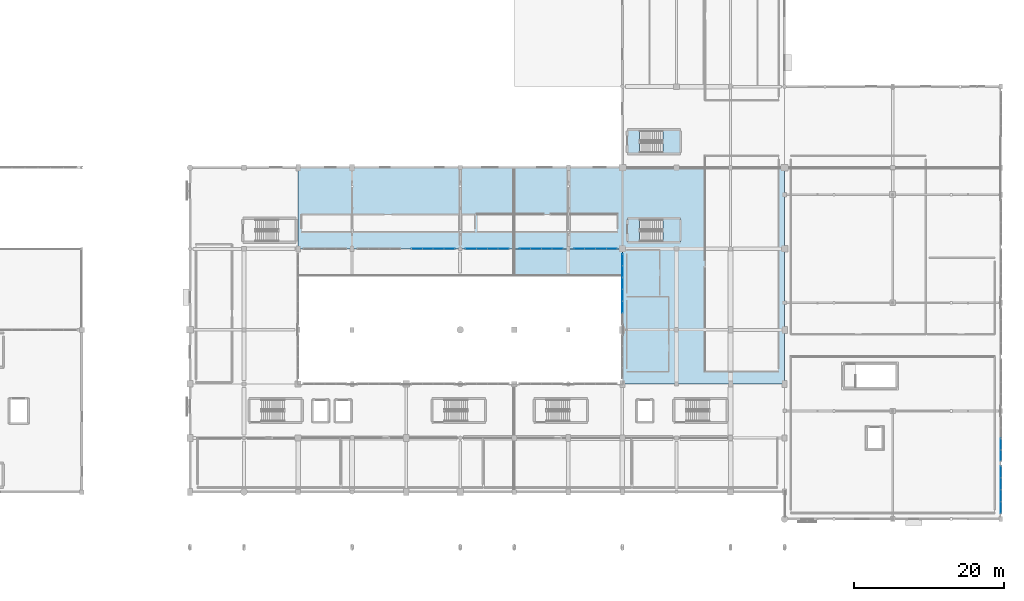
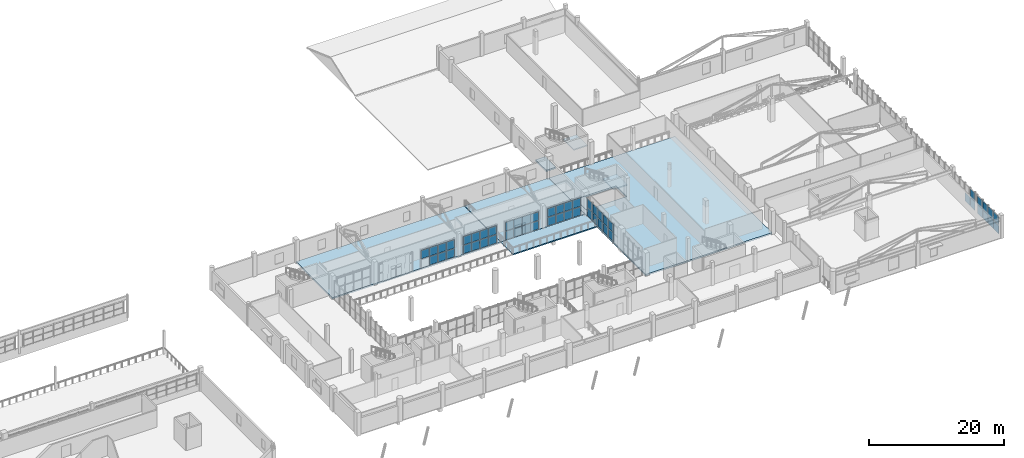
# One storey, part 56 of 92: 52 plates, 8 slabs, 9 elements without a shape of their own.
"""IFC4 building model written with IfcOpenShell, lengths in metres."""

from ifc_helpers import new_model, si_unit, direction, frame, origin, origin_2d, place, context, subcontext, project, spatial, polyline, rectangle, outline, extrude, material, layer, layer_set, type_object, element, aggregate, save


model = new_model("IFC4")

# Units and contexts
model_context = context("Model", 3, precision=1e-05, world=origin(), true_north=direction((0.0, 1.0)))
body_context = subcontext(model_context, "Body", "Model", "MODEL_VIEW")
ifc_project = project(units=[si_unit("LENGTHUNIT", "METRE"), si_unit("AREAUNIT", "SQUARE_METRE"), si_unit("VOLUMEUNIT", "CUBIC_METRE"), si_unit("PLANEANGLEUNIT", "RADIAN"), si_unit("MASSUNIT", "GRAM", prefix="KILO")], contexts=[model_context])

# Site, building, storey
site_placement = place(None, origin())
site = spatial("IfcSite", under=ifc_project, at=site_placement, CompositionType="ELEMENT")
building_placement = place(site_placement, origin())
building = spatial("IfcBuilding", under=site, at=building_placement, Name="Solanera Park Tramway Depot", CompositionType="ELEMENT")
storey_placement = place(building_placement, frame((0.0, 0.0, 4.800048828125)))
storey = spatial("IfcBuildingStorey", under=building, at=storey_placement, Name="L01", CompositionType="ELEMENT", Elevation=4.800048828125)

# Curtain wall, plates
ifc_material_1 = material(Name="Bronze-anodised thermally broken aluminium curtain wall", Category="aluminium")
curtain_wall_type_1 = type_object("IfcCurtainWallType", Name="Courtyard Cloister Unitised Curtain Wall", PredefinedType="NOTDEFINED", material=ifc_material_1)
curtain_wall_1_placement = place(storey_placement, origin())
curtain_wall_1 = element("IfcCurtainWall", 1, at=curtain_wall_1_placement, inside=storey, type_object=curtain_wall_type_1, Name="L01 Courtyard Cloister Unitised Curtain Wall #096", PredefinedType="NOTDEFINED")
ifc_material_2 = material(Name="Low-E laminated solar-control double glazing", Category="glass")
ifc_layer_1 = layer(ifc_material_2, 0.028076171875)
ifc_layer_set_1 = layer_set([ifc_layer_1], Name="Low-E laminated solar-control double glazing")
plate_type = type_object("IfcPlateType", Name="Curtain Wall Double Glazing Panel 28", PredefinedType="CURTAIN_PANEL", material=ifc_layer_set_1)
plate_1_placement = place(storey_placement, frame((142.558837890625, 43.199951171875, 0.11181640625), z_axis=(0.0, 0.0, 1.0), x_axis=(-1.0, 0.0, 0.0)))
plate_1 = element("IfcPlate", 2, at=plate_1_placement, type_object=plate_type, Name="CW-L01-096 Glazing Panel R1.C1", PredefinedType="CURTAIN_PANEL", context=body_context, shape_type="SweptSolid", body=[
    extrude(rectangle(XDim=1.365478515625, YDim=0.028076171875, at=origin_2d()), origin(), (0.0, 0.0, 1.0), 1.510986328125),
])
plate_2_placement = place(storey_placement, frame((141.125, 43.199951171875, 0.11181640625), z_axis=(0.0, 0.0, 1.0), x_axis=(-1.0, 0.0, 0.0)))
plate_2 = element("IfcPlate", 3, at=plate_2_placement, type_object=plate_type, Name="CW-L01-096 Glazing Panel R1.C2", PredefinedType="CURTAIN_PANEL", context=body_context, shape_type="SweptSolid", body=[
    extrude(rectangle(XDim=1.39794921875, YDim=0.028076171875, at=origin_2d()), origin(), (0.0, 0.0, 1.0), 1.510986328125),
])
plate_3_placement = place(storey_placement, frame((139.675048828125, 43.199951171875, 0.11181640625), z_axis=(0.0, 0.0, 1.0), x_axis=(-1.0, 0.0, 0.0)))
plate_3 = element("IfcPlate", 4, at=plate_3_placement, type_object=plate_type, Name="CW-L01-096 Glazing Panel R1.C3", PredefinedType="CURTAIN_PANEL", context=body_context, shape_type="SweptSolid", body=[
    extrude(rectangle(XDim=1.39794921875, YDim=0.028076171875, at=origin_2d()), origin(), (0.0, 0.0, 1.0), 1.510986328125),
])
plate_4_placement = place(storey_placement, frame((142.558837890625, 43.199951171875, 1.72705078125), z_axis=(0.0, 0.0, 1.0), x_axis=(-1.0, 0.0, 0.0)))
plate_4 = element("IfcPlate", 5, at=plate_4_placement, type_object=plate_type, Name="CW-L01-096 Glazing Panel R2.C1", PredefinedType="CURTAIN_PANEL", context=body_context, shape_type="SweptSolid", body=[
    extrude(rectangle(XDim=1.365478515625, YDim=0.028076171875, at=origin_2d()), origin(), (0.0, 0.0, 1.0), 1.510986328125),
])
plate_5_placement = place(storey_placement, frame((141.125, 43.199951171875, 1.72705078125), z_axis=(0.0, 0.0, 1.0), x_axis=(-1.0, 0.0, 0.0)))
plate_5 = element("IfcPlate", 6, at=plate_5_placement, type_object=plate_type, Name="CW-L01-096 Glazing Panel R2.C2", PredefinedType="CURTAIN_PANEL", context=body_context, shape_type="SweptSolid", body=[
    extrude(rectangle(XDim=1.39794921875, YDim=0.028076171875, at=origin_2d()), origin(), (0.0, 0.0, 1.0), 1.510986328125),
])
plate_6_placement = place(storey_placement, frame((139.675048828125, 43.199951171875, 1.72705078125), z_axis=(0.0, 0.0, 1.0), x_axis=(-1.0, 0.0, 0.0)))
plate_6 = element("IfcPlate", 7, at=plate_6_placement, type_object=plate_type, Name="CW-L01-096 Glazing Panel R2.C3", PredefinedType="CURTAIN_PANEL", context=body_context, shape_type="SweptSolid", body=[
    extrude(rectangle(XDim=1.39794921875, YDim=0.028076171875, at=origin_2d()), origin(), (0.0, 0.0, 1.0), 1.510986328125),
])
plate_7_placement = place(storey_placement, frame((138.2412109375, 43.199951171875, 1.72705078125), z_axis=(0.0, 0.0, 1.0), x_axis=(-1.0, 0.0, 0.0)))
plate_7 = element("IfcPlate", 8, at=plate_7_placement, type_object=plate_type, Name="CW-L01-096 Glazing Panel R2.C4", PredefinedType="CURTAIN_PANEL", context=body_context, shape_type="SweptSolid", body=[
    extrude(rectangle(XDim=1.365478515625, YDim=0.028076171875, at=origin_2d()), origin(), (0.0, 0.0, 1.0), 1.510986328125),
])
aggregate(curtain_wall_1, [plate_1, plate_2, plate_3, plate_4, plate_5, plate_6, plate_7])

curtain_wall_2_placement = place(storey_placement, origin())
curtain_wall_2 = element("IfcCurtainWall", 9, at=curtain_wall_2_placement, inside=storey, type_object=curtain_wall_type_1, Name="L01 Courtyard Cloister Unitised Curtain Wall #097", PredefinedType="NOTDEFINED")
plate_8_placement = place(storey_placement, frame((149.7587890625, 43.199951171875, 0.11181640625), z_axis=(0.0, 0.0, 1.0), x_axis=(-1.0, 0.0, 0.0)))
plate_8 = element("IfcPlate", 10, at=plate_8_placement, type_object=plate_type, Name="CW-L01-097 Glazing Panel R1.C1", PredefinedType="CURTAIN_PANEL", context=body_context, shape_type="SweptSolid", body=[
    extrude(rectangle(XDim=1.365478515625, YDim=0.028076171875, at=origin_2d()), origin(), (0.0, 0.0, 1.0), 1.510986328125),
])
plate_9_placement = place(storey_placement, frame((148.324951171875, 43.199951171875, 0.11181640625), z_axis=(0.0, 0.0, 1.0), x_axis=(-1.0, 0.0, 0.0)))
plate_9 = element("IfcPlate", 11, at=plate_9_placement, type_object=plate_type, Name="CW-L01-097 Glazing Panel R1.C2", PredefinedType="CURTAIN_PANEL", context=body_context, shape_type="SweptSolid", body=[
    extrude(rectangle(XDim=1.39794921875, YDim=0.028076171875, at=origin_2d()), origin(), (0.0, 0.0, 1.0), 1.510986328125),
])
plate_10_placement = place(storey_placement, frame((146.875, 43.199951171875, 0.11181640625), z_axis=(0.0, 0.0, 1.0), x_axis=(-1.0, 0.0, 0.0)))
plate_10 = element("IfcPlate", 12, at=plate_10_placement, type_object=plate_type, Name="CW-L01-097 Glazing Panel R1.C3", PredefinedType="CURTAIN_PANEL", context=body_context, shape_type="SweptSolid", body=[
    extrude(rectangle(XDim=1.39794921875, YDim=0.028076171875, at=origin_2d()), origin(), (0.0, 0.0, 1.0), 1.510986328125),
])
plate_11_placement = place(storey_placement, frame((145.441162109375, 43.199951171875, 0.11181640625), z_axis=(0.0, 0.0, 1.0), x_axis=(-1.0, 0.0, 0.0)))
plate_11 = element("IfcPlate", 13, at=plate_11_placement, type_object=plate_type, Name="CW-L01-097 Glazing Panel R1.C4", PredefinedType="CURTAIN_PANEL", context=body_context, shape_type="SweptSolid", body=[
    extrude(rectangle(XDim=1.365478515625, YDim=0.028076171875, at=origin_2d()), origin(), (0.0, 0.0, 1.0), 1.510986328125),
])
plate_12_placement = place(storey_placement, frame((149.7587890625, 43.199951171875, 1.72705078125), z_axis=(0.0, 0.0, 1.0), x_axis=(-1.0, 0.0, 0.0)))
plate_12 = element("IfcPlate", 14, at=plate_12_placement, type_object=plate_type, Name="CW-L01-097 Glazing Panel R2.C1", PredefinedType="CURTAIN_PANEL", context=body_context, shape_type="SweptSolid", body=[
    extrude(rectangle(XDim=1.365478515625, YDim=0.028076171875, at=origin_2d()), origin(), (0.0, 0.0, 1.0), 1.510986328125),
])
plate_13_placement = place(storey_placement, frame((148.324951171875, 43.199951171875, 1.72705078125), z_axis=(0.0, 0.0, 1.0), x_axis=(-1.0, 0.0, 0.0)))
plate_13 = element("IfcPlate", 15, at=plate_13_placement, type_object=plate_type, Name="CW-L01-097 Glazing Panel R2.C2", PredefinedType="CURTAIN_PANEL", context=body_context, shape_type="SweptSolid", body=[
    extrude(rectangle(XDim=1.39794921875, YDim=0.028076171875, at=origin_2d()), origin(), (0.0, 0.0, 1.0), 1.510986328125),
])
plate_14_placement = place(storey_placement, frame((146.875, 43.199951171875, 1.72705078125), z_axis=(0.0, 0.0, 1.0), x_axis=(-1.0, 0.0, 0.0)))
plate_14 = element("IfcPlate", 16, at=plate_14_placement, type_object=plate_type, Name="CW-L01-097 Glazing Panel R2.C3", PredefinedType="CURTAIN_PANEL", context=body_context, shape_type="SweptSolid", body=[
    extrude(rectangle(XDim=1.39794921875, YDim=0.028076171875, at=origin_2d()), origin(), (0.0, 0.0, 1.0), 1.510986328125),
])
plate_15_placement = place(storey_placement, frame((145.441162109375, 43.199951171875, 1.72705078125), z_axis=(0.0, 0.0, 1.0), x_axis=(-1.0, 0.0, 0.0)))
plate_15 = element("IfcPlate", 17, at=plate_15_placement, type_object=plate_type, Name="CW-L01-097 Glazing Panel R2.C4", PredefinedType="CURTAIN_PANEL", context=body_context, shape_type="SweptSolid", body=[
    extrude(rectangle(XDim=1.365478515625, YDim=0.028076171875, at=origin_2d()), origin(), (0.0, 0.0, 1.0), 1.510986328125),
])
aggregate(curtain_wall_2, [plate_8, plate_9, plate_10, plate_11, plate_12, plate_13, plate_14, plate_15])

curtain_wall_3_placement = place(storey_placement, origin())
curtain_wall_3 = element("IfcCurtainWall", 18, at=curtain_wall_3_placement, inside=storey, type_object=curtain_wall_type_1, Name="L01 Courtyard Cloister Unitised Curtain Wall #098", PredefinedType="NOTDEFINED")
plate_16_placement = place(storey_placement, frame((156.958740234375, 43.199951171875, 0.11181640625), z_axis=(0.0, 0.0, 1.0), x_axis=(-1.0, 0.0, 0.0)))
plate_16 = element("IfcPlate", 19, at=plate_16_placement, type_object=plate_type, Name="CW-L01-098 Glazing Panel R1.C1", PredefinedType="CURTAIN_PANEL", context=body_context, shape_type="SweptSolid", body=[
    extrude(rectangle(XDim=1.365478515625, YDim=0.028076171875, at=origin_2d()), origin(), (0.0, 0.0, 1.0), 1.510986328125),
])
plate_17_placement = place(storey_placement, frame((155.52490234375, 43.199951171875, 0.11181640625), z_axis=(0.0, 0.0, 1.0), x_axis=(-1.0, 0.0, 0.0)))
plate_17 = element("IfcPlate", 20, at=plate_17_placement, type_object=plate_type, Name="CW-L01-098 Glazing Panel R1.C2", PredefinedType="CURTAIN_PANEL", context=body_context, shape_type="SweptSolid", body=[
    extrude(rectangle(XDim=1.39794921875, YDim=0.028076171875, at=origin_2d()), origin(), (0.0, 0.0, 1.0), 1.510986328125),
])
plate_18_placement = place(storey_placement, frame((154.074951171875, 43.199951171875, 0.11181640625), z_axis=(0.0, 0.0, 1.0), x_axis=(-1.0, 0.0, 0.0)))
plate_18 = element("IfcPlate", 21, at=plate_18_placement, type_object=plate_type, Name="CW-L01-098 Glazing Panel R1.C3", PredefinedType="CURTAIN_PANEL", context=body_context, shape_type="SweptSolid", body=[
    extrude(rectangle(XDim=1.39794921875, YDim=0.028076171875, at=origin_2d()), origin(), (0.0, 0.0, 1.0), 1.510986328125),
])
plate_19_placement = place(storey_placement, frame((152.641357421875, 43.199951171875, 0.11181640625), z_axis=(0.0, 0.0, 1.0), x_axis=(-1.0, 0.0, 0.0)))
plate_19 = element("IfcPlate", 22, at=plate_19_placement, type_object=plate_type, Name="CW-L01-098 Glazing Panel R1.C4", PredefinedType="CURTAIN_PANEL", context=body_context, shape_type="SweptSolid", body=[
    extrude(rectangle(XDim=1.365478515625, YDim=0.028076171875, at=origin_2d()), origin(), (0.0, 0.0, 1.0), 1.510986328125),
])
plate_20_placement = place(storey_placement, frame((156.958740234375, 43.199951171875, 1.72705078125), z_axis=(0.0, 0.0, 1.0), x_axis=(-1.0, 0.0, 0.0)))
plate_20 = element("IfcPlate", 23, at=plate_20_placement, type_object=plate_type, Name="CW-L01-098 Glazing Panel R2.C1", PredefinedType="CURTAIN_PANEL", context=body_context, shape_type="SweptSolid", body=[
    extrude(rectangle(XDim=1.365478515625, YDim=0.028076171875, at=origin_2d()), origin(), (0.0, 0.0, 1.0), 1.510986328125),
])
plate_21_placement = place(storey_placement, frame((155.52490234375, 43.199951171875, 1.72705078125), z_axis=(0.0, 0.0, 1.0), x_axis=(-1.0, 0.0, 0.0)))
plate_21 = element("IfcPlate", 24, at=plate_21_placement, type_object=plate_type, Name="CW-L01-098 Glazing Panel R2.C2", PredefinedType="CURTAIN_PANEL", context=body_context, shape_type="SweptSolid", body=[
    extrude(rectangle(XDim=1.39794921875, YDim=0.028076171875, at=origin_2d()), origin(), (0.0, 0.0, 1.0), 1.510986328125),
])
plate_22_placement = place(storey_placement, frame((154.074951171875, 43.199951171875, 1.72705078125), z_axis=(0.0, 0.0, 1.0), x_axis=(-1.0, 0.0, 0.0)))
plate_22 = element("IfcPlate", 25, at=plate_22_placement, type_object=plate_type, Name="CW-L01-098 Glazing Panel R2.C3", PredefinedType="CURTAIN_PANEL", context=body_context, shape_type="SweptSolid", body=[
    extrude(rectangle(XDim=1.39794921875, YDim=0.028076171875, at=origin_2d()), origin(), (0.0, 0.0, 1.0), 1.510986328125),
])
plate_23_placement = place(storey_placement, frame((152.641357421875, 43.199951171875, 1.72705078125), z_axis=(0.0, 0.0, 1.0), x_axis=(-1.0, 0.0, 0.0)))
plate_23 = element("IfcPlate", 26, at=plate_23_placement, type_object=plate_type, Name="CW-L01-098 Glazing Panel R2.C4", PredefinedType="CURTAIN_PANEL", context=body_context, shape_type="SweptSolid", body=[
    extrude(rectangle(XDim=1.365478515625, YDim=0.028076171875, at=origin_2d()), origin(), (0.0, 0.0, 1.0), 1.510986328125),
])
aggregate(curtain_wall_3, [plate_16, plate_17, plate_18, plate_19, plate_20, plate_21, plate_22, plate_23])

curtain_wall_4_placement = place(storey_placement, origin())
curtain_wall_4 = element("IfcCurtainWall", 27, at=curtain_wall_4_placement, inside=storey, type_object=curtain_wall_type_1, Name="L01 Courtyard Cloister Unitised Curtain Wall #099", PredefinedType="NOTDEFINED")
plate_24_placement = place(storey_placement, frame((164.15869140625, 43.199951171875, 0.11181640625), z_axis=(0.0, 0.0, 1.0), x_axis=(-1.0, 0.0, 0.0)))
plate_24 = element("IfcPlate", 28, at=plate_24_placement, type_object=plate_type, Name="CW-L01-099 Glazing Panel R1.C1", PredefinedType="CURTAIN_PANEL", context=body_context, shape_type="SweptSolid", body=[
    extrude(rectangle(XDim=1.365478515625, YDim=0.028076171875, at=origin_2d()), origin(), (0.0, 0.0, 1.0), 1.510986328125),
])
plate_25_placement = place(storey_placement, frame((162.72509765625, 43.199951171875, 0.11181640625), z_axis=(0.0, 0.0, 1.0), x_axis=(-1.0, 0.0, 0.0)))
plate_25 = element("IfcPlate", 29, at=plate_25_placement, type_object=plate_type, Name="CW-L01-099 Glazing Panel R1.C2", PredefinedType="CURTAIN_PANEL", context=body_context, shape_type="SweptSolid", body=[
    extrude(rectangle(XDim=1.39794921875, YDim=0.028076171875, at=origin_2d()), origin(), (0.0, 0.0, 1.0), 1.510986328125),
])
plate_26_placement = place(storey_placement, frame((161.27490234375, 43.199951171875, 0.11181640625), z_axis=(0.0, 0.0, 1.0), x_axis=(-1.0, 0.0, 0.0)))
plate_26 = element("IfcPlate", 30, at=plate_26_placement, type_object=plate_type, Name="CW-L01-099 Glazing Panel R1.C3", PredefinedType="CURTAIN_PANEL", context=body_context, shape_type="SweptSolid", body=[
    extrude(rectangle(XDim=1.39794921875, YDim=0.028076171875, at=origin_2d()), origin(), (0.0, 0.0, 1.0), 1.510986328125),
])
plate_27_placement = place(storey_placement, frame((159.84130859375, 43.199951171875, 0.11181640625), z_axis=(0.0, 0.0, 1.0), x_axis=(-1.0, 0.0, 0.0)))
plate_27 = element("IfcPlate", 31, at=plate_27_placement, type_object=plate_type, Name="CW-L01-099 Glazing Panel R1.C4", PredefinedType="CURTAIN_PANEL", context=body_context, shape_type="SweptSolid", body=[
    extrude(rectangle(XDim=1.365478515625, YDim=0.028076171875, at=origin_2d()), origin(), (0.0, 0.0, 1.0), 1.510986328125),
])
plate_28_placement = place(storey_placement, frame((164.15869140625, 43.199951171875, 1.72705078125), z_axis=(0.0, 0.0, 1.0), x_axis=(-1.0, 0.0, 0.0)))
plate_28 = element("IfcPlate", 32, at=plate_28_placement, type_object=plate_type, Name="CW-L01-099 Glazing Panel R2.C1", PredefinedType="CURTAIN_PANEL", context=body_context, shape_type="SweptSolid", body=[
    extrude(rectangle(XDim=1.365478515625, YDim=0.028076171875, at=origin_2d()), origin(), (0.0, 0.0, 1.0), 1.510986328125),
])
plate_29_placement = place(storey_placement, frame((162.72509765625, 43.199951171875, 1.72705078125), z_axis=(0.0, 0.0, 1.0), x_axis=(-1.0, 0.0, 0.0)))
plate_29 = element("IfcPlate", 33, at=plate_29_placement, type_object=plate_type, Name="CW-L01-099 Glazing Panel R2.C2", PredefinedType="CURTAIN_PANEL", context=body_context, shape_type="SweptSolid", body=[
    extrude(rectangle(XDim=1.39794921875, YDim=0.028076171875, at=origin_2d()), origin(), (0.0, 0.0, 1.0), 1.510986328125),
])
plate_30_placement = place(storey_placement, frame((161.27490234375, 43.199951171875, 1.72705078125), z_axis=(0.0, 0.0, 1.0), x_axis=(-1.0, 0.0, 0.0)))
plate_30 = element("IfcPlate", 34, at=plate_30_placement, type_object=plate_type, Name="CW-L01-099 Glazing Panel R2.C3", PredefinedType="CURTAIN_PANEL", context=body_context, shape_type="SweptSolid", body=[
    extrude(rectangle(XDim=1.39794921875, YDim=0.028076171875, at=origin_2d()), origin(), (0.0, 0.0, 1.0), 1.510986328125),
])
plate_31_placement = place(storey_placement, frame((159.84130859375, 43.199951171875, 1.72705078125), z_axis=(0.0, 0.0, 1.0), x_axis=(-1.0, 0.0, 0.0)))
plate_31 = element("IfcPlate", 35, at=plate_31_placement, type_object=plate_type, Name="CW-L01-099 Glazing Panel R2.C4", PredefinedType="CURTAIN_PANEL", context=body_context, shape_type="SweptSolid", body=[
    extrude(rectangle(XDim=1.365478515625, YDim=0.028076171875, at=origin_2d()), origin(), (0.0, 0.0, 1.0), 1.510986328125),
])
aggregate(curtain_wall_4, [plate_24, plate_25, plate_26, plate_27, plate_28, plate_29, plate_30, plate_31])

curtain_wall_5_placement = place(storey_placement, origin())
curtain_wall_5 = element("IfcCurtainWall", 36, at=curtain_wall_5_placement, inside=storey, type_object=curtain_wall_type_1, Name="L01 Courtyard Cloister Unitised Curtain Wall #103", PredefinedType="NOTDEFINED")
plate_32_placement = place(storey_placement, frame((165.60009765625, 41.700439453125, 0.11181640625), z_axis=(0.0, 0.0, 1.0), x_axis=(0.0, -1.0, 0.0)))
plate_32 = element("IfcPlate", 37, at=plate_32_placement, type_object=plate_type, Name="CW-L01-103 Glazing Panel R1.C1", PredefinedType="CURTAIN_PANEL", context=body_context, shape_type="SweptSolid", body=[
    extrude(rectangle(XDim=1.482177734375, YDim=0.028076171875, at=origin_2d()), origin(), (0.0, 0.0, 1.0), 1.510986328125),
])
plate_33_placement = place(storey_placement, frame((165.60009765625, 40.14990234375, 0.11181640625), z_axis=(0.0, 0.0, 1.0), x_axis=(0.0, -1.0, 0.0)))
plate_33 = element("IfcPlate", 38, at=plate_33_placement, type_object=plate_type, Name="CW-L01-103 Glazing Panel R1.C2", PredefinedType="CURTAIN_PANEL", context=body_context, shape_type="SweptSolid", body=[
    extrude(rectangle(XDim=1.5146484375, YDim=0.028076171875, at=origin_2d()), origin(), (0.0, 0.0, 1.0), 1.510986328125),
])
plate_34_placement = place(storey_placement, frame((165.60009765625, 38.583251953125, 0.11181640625), z_axis=(0.0, 0.0, 1.0), x_axis=(0.0, -1.0, 0.0)))
plate_34 = element("IfcPlate", 39, at=plate_34_placement, type_object=plate_type, Name="CW-L01-103 Glazing Panel R1.C3", PredefinedType="CURTAIN_PANEL", context=body_context, shape_type="SweptSolid", body=[
    extrude(rectangle(XDim=1.5146484375, YDim=0.028076171875, at=origin_2d()), origin(), (0.0, 0.0, 1.0), 1.510986328125),
])
plate_35_placement = place(storey_placement, frame((165.60009765625, 37.0166015625, 0.11181640625), z_axis=(0.0, 0.0, 1.0), x_axis=(0.0, -1.0, 0.0)))
plate_35 = element("IfcPlate", 40, at=plate_35_placement, type_object=plate_type, Name="CW-L01-103 Glazing Panel R1.C4", PredefinedType="CURTAIN_PANEL", context=body_context, shape_type="SweptSolid", body=[
    extrude(rectangle(XDim=1.5146484375, YDim=0.028076171875, at=origin_2d()), origin(), (0.0, 0.0, 1.0), 1.510986328125),
])
plate_36_placement = place(storey_placement, frame((165.60009765625, 35.449951171875, 0.11181640625), z_axis=(0.0, 0.0, 1.0), x_axis=(0.0, -1.0, 0.0)))
plate_36 = element("IfcPlate", 41, at=plate_36_placement, type_object=plate_type, Name="CW-L01-103 Glazing Panel R1.C5", PredefinedType="CURTAIN_PANEL", context=body_context, shape_type="SweptSolid", body=[
    extrude(rectangle(XDim=1.5146484375, YDim=0.028076171875, at=origin_2d()), origin(), (0.0, 0.0, 1.0), 1.510986328125),
])
plate_37_placement = place(storey_placement, frame((165.60009765625, 41.700439453125, 1.72705078125), z_axis=(0.0, 0.0, 1.0), x_axis=(0.0, -1.0, 0.0)))
plate_37 = element("IfcPlate", 42, at=plate_37_placement, type_object=plate_type, Name="CW-L01-103 Glazing Panel R2.C1", PredefinedType="CURTAIN_PANEL", context=body_context, shape_type="SweptSolid", body=[
    extrude(rectangle(XDim=1.482177734375, YDim=0.028076171875, at=origin_2d()), origin(), (0.0, 0.0, 1.0), 1.510986328125),
])
plate_38_placement = place(storey_placement, frame((165.60009765625, 40.14990234375, 1.72705078125), z_axis=(0.0, 0.0, 1.0), x_axis=(0.0, -1.0, 0.0)))
plate_38 = element("IfcPlate", 43, at=plate_38_placement, type_object=plate_type, Name="CW-L01-103 Glazing Panel R2.C2", PredefinedType="CURTAIN_PANEL", context=body_context, shape_type="SweptSolid", body=[
    extrude(rectangle(XDim=1.5146484375, YDim=0.028076171875, at=origin_2d()), origin(), (0.0, 0.0, 1.0), 1.510986328125),
])
plate_39_placement = place(storey_placement, frame((165.60009765625, 38.583251953125, 1.72705078125), z_axis=(0.0, 0.0, 1.0), x_axis=(0.0, -1.0, 0.0)))
plate_39 = element("IfcPlate", 44, at=plate_39_placement, type_object=plate_type, Name="CW-L01-103 Glazing Panel R2.C3", PredefinedType="CURTAIN_PANEL", context=body_context, shape_type="SweptSolid", body=[
    extrude(rectangle(XDim=1.5146484375, YDim=0.028076171875, at=origin_2d()), origin(), (0.0, 0.0, 1.0), 1.510986328125),
])
plate_40_placement = place(storey_placement, frame((165.60009765625, 37.0166015625, 1.72705078125), z_axis=(0.0, 0.0, 1.0), x_axis=(0.0, -1.0, 0.0)))
plate_40 = element("IfcPlate", 45, at=plate_40_placement, type_object=plate_type, Name="CW-L01-103 Glazing Panel R2.C4", PredefinedType="CURTAIN_PANEL", context=body_context, shape_type="SweptSolid", body=[
    extrude(rectangle(XDim=1.5146484375, YDim=0.028076171875, at=origin_2d()), origin(), (0.0, 0.0, 1.0), 1.510986328125),
])
plate_41_placement = place(storey_placement, frame((165.60009765625, 35.449951171875, 1.72705078125), z_axis=(0.0, 0.0, 1.0), x_axis=(0.0, -1.0, 0.0)))
plate_41 = element("IfcPlate", 46, at=plate_41_placement, type_object=plate_type, Name="CW-L01-103 Glazing Panel R2.C5", PredefinedType="CURTAIN_PANEL", context=body_context, shape_type="SweptSolid", body=[
    extrude(rectangle(XDim=1.5146484375, YDim=0.028076171875, at=origin_2d()), origin(), (0.0, 0.0, 1.0), 1.510986328125),
])
aggregate(curtain_wall_5, [plate_32, plate_33, plate_34, plate_35, plate_36, plate_37, plate_38, plate_39, plate_40, plate_41])

ifc_material_3 = material(Name="Bronze-anodised thermally broken aluminium curtain wall", Category="aluminium")
curtain_wall_type_2 = type_object("IfcCurtainWallType", Name="Parkfront Loggia Curtain Wall", PredefinedType="NOTDEFINED", material=ifc_material_3)
curtain_wall_6_placement = place(storey_placement, origin())
curtain_wall_6 = element("IfcCurtainWall", 47, at=curtain_wall_6_placement, inside=storey, type_object=curtain_wall_type_2, Name="L01 Parkfront Loggia Curtain Wall #133", PredefinedType="NOTDEFINED")
plate_42_placement = place(storey_placement, frame((216.0, 8.71630859375, 0.11181640625), z_axis=(0.0, 0.0, 1.0), x_axis=(0.0, 1.0, 0.0)))
plate_42 = element("IfcPlate", 48, at=plate_42_placement, type_object=plate_type, Name="CW-L01-133 Glazing Panel R1.C1", PredefinedType="CURTAIN_PANEL", context=body_context, shape_type="SweptSolid", body=[
    extrude(rectangle(XDim=1.515380859375, YDim=0.028076171875, at=origin_2d()), origin(), (0.0, 0.0, 1.0), 1.510986328125),
])
plate_43_placement = place(storey_placement, frame((216.0, 10.300048828125, 0.11181640625), z_axis=(0.0, 0.0, 1.0), x_axis=(0.0, 1.0, 0.0)))
plate_43 = element("IfcPlate", 49, at=plate_43_placement, type_object=plate_type, Name="CW-L01-133 Glazing Panel R1.C2", PredefinedType="CURTAIN_PANEL", context=body_context, shape_type="SweptSolid", body=[
    extrude(rectangle(XDim=1.548095703125, YDim=0.028076171875, at=origin_2d()), origin(), (0.0, 0.0, 1.0), 1.510986328125),
])
plate_44_placement = place(storey_placement, frame((216.0, 11.89990234375, 0.11181640625), z_axis=(0.0, 0.0, 1.0), x_axis=(0.0, 1.0, 0.0)))
plate_44 = element("IfcPlate", 50, at=plate_44_placement, type_object=plate_type, Name="CW-L01-133 Glazing Panel R1.C3", PredefinedType="CURTAIN_PANEL", context=body_context, shape_type="SweptSolid", body=[
    extrude(rectangle(XDim=1.548095703125, YDim=0.028076171875, at=origin_2d()), origin(), (0.0, 0.0, 1.0), 1.510986328125),
])
plate_45_placement = place(storey_placement, frame((216.0, 13.48388671875, 0.11181640625), z_axis=(0.0, 0.0, 1.0), x_axis=(0.0, 1.0, 0.0)))
plate_45 = element("IfcPlate", 51, at=plate_45_placement, type_object=plate_type, Name="CW-L01-133 Glazing Panel R1.C4", PredefinedType="CURTAIN_PANEL", context=body_context, shape_type="SweptSolid", body=[
    extrude(rectangle(XDim=1.515380859375, YDim=0.028076171875, at=origin_2d()), origin(), (0.0, 0.0, 1.0), 1.510986328125),
])
plate_46_placement = place(storey_placement, frame((216.0, 8.71630859375, 1.72705078125), z_axis=(0.0, 0.0, 1.0), x_axis=(0.0, 1.0, 0.0)))
plate_46 = element("IfcPlate", 52, at=plate_46_placement, type_object=plate_type, Name="CW-L01-133 Glazing Panel R2.C1", PredefinedType="CURTAIN_PANEL", context=body_context, shape_type="SweptSolid", body=[
    extrude(rectangle(XDim=1.515380859375, YDim=0.028076171875, at=origin_2d()), origin(), (0.0, 0.0, 1.0), 1.510986328125),
])
plate_47_placement = place(storey_placement, frame((216.0, 10.300048828125, 1.72705078125), z_axis=(0.0, 0.0, 1.0), x_axis=(0.0, 1.0, 0.0)))
plate_47 = element("IfcPlate", 53, at=plate_47_placement, type_object=plate_type, Name="CW-L01-133 Glazing Panel R2.C2", PredefinedType="CURTAIN_PANEL", context=body_context, shape_type="SweptSolid", body=[
    extrude(rectangle(XDim=1.548095703125, YDim=0.028076171875, at=origin_2d()), origin(), (0.0, 0.0, 1.0), 1.510986328125),
])
plate_48_placement = place(storey_placement, frame((216.0, 11.89990234375, 1.72705078125), z_axis=(0.0, 0.0, 1.0), x_axis=(0.0, 1.0, 0.0)))
plate_48 = element("IfcPlate", 54, at=plate_48_placement, type_object=plate_type, Name="CW-L01-133 Glazing Panel R2.C3", PredefinedType="CURTAIN_PANEL", context=body_context, shape_type="SweptSolid", body=[
    extrude(rectangle(XDim=1.548095703125, YDim=0.028076171875, at=origin_2d()), origin(), (0.0, 0.0, 1.0), 1.510986328125),
])
plate_49_placement = place(storey_placement, frame((216.0, 13.48388671875, 1.72705078125), z_axis=(0.0, 0.0, 1.0), x_axis=(0.0, 1.0, 0.0)))
plate_49 = element("IfcPlate", 55, at=plate_49_placement, type_object=plate_type, Name="CW-L01-133 Glazing Panel R2.C4", PredefinedType="CURTAIN_PANEL", context=body_context, shape_type="SweptSolid", body=[
    extrude(rectangle(XDim=1.515380859375, YDim=0.028076171875, at=origin_2d()), origin(), (0.0, 0.0, 1.0), 1.510986328125),
])
aggregate(curtain_wall_6, [plate_42, plate_43, plate_44, plate_45, plate_46, plate_47, plate_48, plate_49])

curtain_wall_7_placement = place(storey_placement, origin())
curtain_wall_7 = element("IfcCurtainWall", 56, at=curtain_wall_7_placement, inside=storey, type_object=curtain_wall_type_2, Name="L01 Parkfront Loggia Curtain Wall #134", PredefinedType="NOTDEFINED")
plate_50_placement = place(storey_placement, frame((216.0, 15.666259765625, 0.11181640625), z_axis=(0.0, 0.0, 1.0), x_axis=(0.0, 1.0, 0.0)))
plate_50 = element("IfcPlate", 57, at=plate_50_placement, type_object=plate_type, Name="CW-L01-134 Glazing Panel R1.C1", PredefinedType="CURTAIN_PANEL", context=body_context, shape_type="SweptSolid", body=[
    extrude(rectangle(XDim=1.41552734375, YDim=0.028076171875, at=origin_2d()), origin(), (0.0, 0.0, 1.0), 1.510986328125),
])
plate_51_placement = place(storey_placement, frame((216.0, 17.14990234375, 0.11181640625), z_axis=(0.0, 0.0, 1.0), x_axis=(0.0, 1.0, 0.0)))
plate_51 = element("IfcPlate", 58, at=plate_51_placement, type_object=plate_type, Name="CW-L01-134 Glazing Panel R1.C2", PredefinedType="CURTAIN_PANEL", context=body_context, shape_type="SweptSolid", body=[
    extrude(rectangle(XDim=1.447998046875, YDim=0.028076171875, at=origin_2d()), origin(), (0.0, 0.0, 1.0), 1.510986328125),
])
plate_52_placement = place(storey_placement, frame((216.0, 15.666259765625, 1.72705078125), z_axis=(0.0, 0.0, 1.0), x_axis=(0.0, 1.0, 0.0)))
plate_52 = element("IfcPlate", 59, at=plate_52_placement, type_object=plate_type, Name="CW-L01-134 Glazing Panel R2.C1", PredefinedType="CURTAIN_PANEL", context=body_context, shape_type="SweptSolid", body=[
    extrude(rectangle(XDim=1.41552734375, YDim=0.028076171875, at=origin_2d()), origin(), (0.0, 0.0, 1.0), 1.510986328125),
])
aggregate(curtain_wall_7, [plate_50, plate_51, plate_52])

# Slabs
ifc_material_4 = material(Name="Concrete N40 (C40/50)", Category="concrete")
ifc_layer_2 = layer(ifc_material_4, 0.2099609375)
ifc_layer_set_2 = layer_set([ifc_layer_2], Name="Concrete N40 (C40/50)")
slab_type_1 = type_object("IfcSlabType", Name="Slab Ext 210", PredefinedType="FLOOR", material=ifc_layer_set_2)
slab_1_placement = place(storey_placement, frame((0.0, 0.0, -0.2099609375)))
element("IfcSlab", 60, at=slab_1_placement, inside=storey, type_object=slab_type_1, Name="L01 Courtyard Corredor Azotea Terrace East", PredefinedType="FLOOR", context=body_context, shape_type="SweptSolid", body=[
    extrude(outline(polyline([(165.60009765625, 39.60009765625), (165.60009765625, 43.199951171875), (151.199951171875, 43.199951171875), (151.199951171875, 39.60009765625), (165.60009765625, 39.60009765625)])), origin(), (0.0, 0.0, 1.0), 0.2099609375),
])
ifc_material_5 = material(Name="Concrete N40 (C40/50)", Category="concrete")
ifc_layer_3 = layer(ifc_material_5, 0.25)
ifc_layer_set_3 = layer_set([ifc_layer_3], Name="Concrete N40 (C40/50)")
slab_type_2 = type_object("IfcSlabType", Name="Slab Floor 250", PredefinedType="FLOOR", material=ifc_layer_set_3)
slab_2_placement = place(storey_placement, frame((0.0, 0.0, -0.25)))
element("IfcSlab", 61, at=slab_2_placement, inside=storey, type_object=slab_type_2, Name="L01 Structural Slab SL-L01-V4NW", PredefinedType="FLOOR", context=body_context, shape_type="SweptSolid", body=[
    extrude(outline(polyline([(151.14990234375, 43.199951171875), (151.14990234375, 54.0), (122.39990234375, 54.0), (122.39990234375, 43.199951171875), (151.14990234375, 43.199951171875)])), origin(), (0.0, 0.0, 1.0), 0.25),
])
slab_3_placement = place(storey_placement, frame((0.0, 0.0, -0.25)))
element("IfcSlab", 62, at=slab_3_placement, inside=storey, type_object=slab_type_2, Name="L01 Structural Slab SL-L01-V4NE", PredefinedType="FLOOR", context=body_context, shape_type="SweptSolid", body=[
    extrude(outline(polyline([(165.60009765625, 43.199951171875), (165.60009765625, 54.0), (151.199951171875, 54.0), (151.199951171875, 43.199951171875), (165.60009765625, 43.199951171875)])), origin(), (0.0, 0.0, 1.0), 0.25),
])
ifc_material_6 = material(Name="Concrete N40 (C40/50)", Category="concrete")
ifc_layer_4 = layer(ifc_material_6, 0.27490234375)
ifc_layer_set_4 = layer_set([ifc_layer_4], Name="Concrete N40 (C40/50)")
slab_type_3 = type_object("IfcSlabType", Name="Slab Floor 275", PredefinedType="FLOOR", material=ifc_layer_set_4)
slab_4_placement = place(storey_placement, frame((0.0, 0.0, -0.275146484375)))
element("IfcSlab", 63, at=slab_4_placement, inside=storey, type_object=slab_type_3, Name="L01 Structural Slab SL-L01-V4ES", PredefinedType="FLOOR", context=body_context, shape_type="SweptSolid", body=[
    extrude(outline(polyline([(165.60009765625, 25.199951171875), (165.60009765625, 53.949951171875), (187.199951171875, 53.949951171875), (187.199951171875, 25.199951171875), (165.60009765625, 25.199951171875)]), holes=[polyline([(173.199951171875, 47.22509765625), (166.27490234375, 47.22509765625), (166.27490234375, 44.074951171875), (173.199951171875, 44.074951171875), (173.199951171875, 47.22509765625)])]), origin(), (0.0, 0.0, 1.0), 0.275146484375),
])
ifc_material_7 = material(Name="Concrete N40 (C40/50)", Category="concrete")
ifc_layer_5 = layer(ifc_material_7, 0.27490234375)
ifc_layer_set_5 = layer_set([ifc_layer_5], Name="Concrete N40 (C40/50)")
slab_type_4 = type_object("IfcSlabType", Name="Slab Stair Floor Landing 275", PredefinedType="LANDING", material=ifc_layer_set_5)
slab_5_placement = place(storey_placement, frame((0.0, 0.0, -0.275146484375)))
element("IfcSlab", 64, at=slab_5_placement, inside=storey, type_object=slab_type_4, Name="ST-05 L01 Floor Landing", PredefinedType="LANDING", context=body_context, shape_type="SweptSolid", body=[
    extrude(outline(polyline([(166.280029296875, 44.080078125), (167.89990234375, 44.080078125), (167.89990234375, 47.219970703125), (166.280029296875, 47.219970703125), (166.280029296875, 44.080078125)])), origin(), (0.0, 0.0, 1.0), 0.275146484375),
])
slab_6_placement = place(storey_placement, frame((0.0, 0.0, -0.275146484375)))
element("IfcSlab", 65, at=slab_6_placement, inside=storey, type_object=slab_type_4, Name="ST-06 L01 Floor Landing", PredefinedType="LANDING", context=body_context, shape_type="SweptSolid", body=[
    extrude(outline(polyline([(166.280029296875, 55.8798828125), (167.89990234375, 55.8798828125), (167.89990234375, 59.02001953125), (166.280029296875, 59.02001953125), (166.280029296875, 55.8798828125)])), origin(), (0.0, 0.0, 1.0), 0.275146484375),
])

# Stair, slab
ifc_material_8 = material(Name="Concrete N40 (C40/50)", Category="concrete")
stair_type = type_object("IfcStairType", Name="Stair Half-Turn Dogleg 4200", PredefinedType="HALF_TURN_STAIR", material=ifc_material_8)
stair_1_placement = place(storey_placement, origin())
stair_1 = element("IfcStair", 66, at=stair_1_placement, inside=storey, type_object=stair_type, Name="ST-05 L01 Half-Turn Stair", PredefinedType="HALF_TURN_STAIR")
ifc_material_9 = material(Name="Concrete N40 (C40/50)", Category="concrete")
ifc_layer_6 = layer(ifc_material_9, 0.199951171875)
ifc_layer_set_6 = layer_set([ifc_layer_6], Name="Concrete N40 (C40/50)")
slab_type_5 = type_object("IfcSlabType", Name="Slab Stair Landing 200", PredefinedType="LANDING", material=ifc_layer_set_6)
slab_7_placement = place(storey_placement, frame((0.0, 0.0, 1.89990234375)))
slab_7 = element("IfcSlab", 67, at=slab_7_placement, type_object=slab_type_5, Name="ST-05 L01 Half-Landing 1", PredefinedType="LANDING", context=body_context, shape_type="SweptSolid", body=[
    extrude(outline(polyline([(170.97998046875, 44.080078125), (173.320068359375, 44.080078125), (173.320068359375, 47.219970703125), (170.97998046875, 47.219970703125), (170.97998046875, 44.080078125)])), origin(), (0.0, 0.0, 1.0), 0.199951171875),
])
aggregate(stair_1, [slab_7])

stair_2_placement = place(storey_placement, origin())
stair_2 = element("IfcStair", 68, at=stair_2_placement, inside=storey, type_object=stair_type, Name="ST-06 L01 Half-Turn Stair", PredefinedType="HALF_TURN_STAIR")
slab_8_placement = place(storey_placement, frame((0.0, 0.0, 1.89990234375)))
slab_8 = element("IfcSlab", 69, at=slab_8_placement, type_object=slab_type_5, Name="ST-06 L01 Half-Landing 1", PredefinedType="LANDING", context=body_context, shape_type="SweptSolid", body=[
    extrude(outline(polyline([(170.97998046875, 55.8798828125), (173.320068359375, 55.8798828125), (173.320068359375, 59.02001953125), (170.97998046875, 59.02001953125), (170.97998046875, 55.8798828125)])), origin(), (0.0, 0.0, 1.0), 0.199951171875),
])
aggregate(stair_2, [slab_8])

save(model, "model.ifc")
